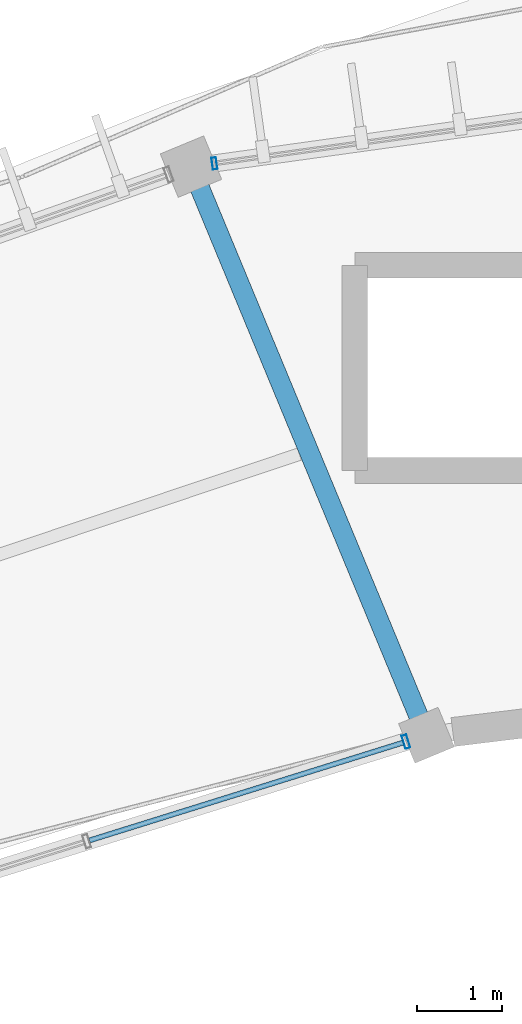
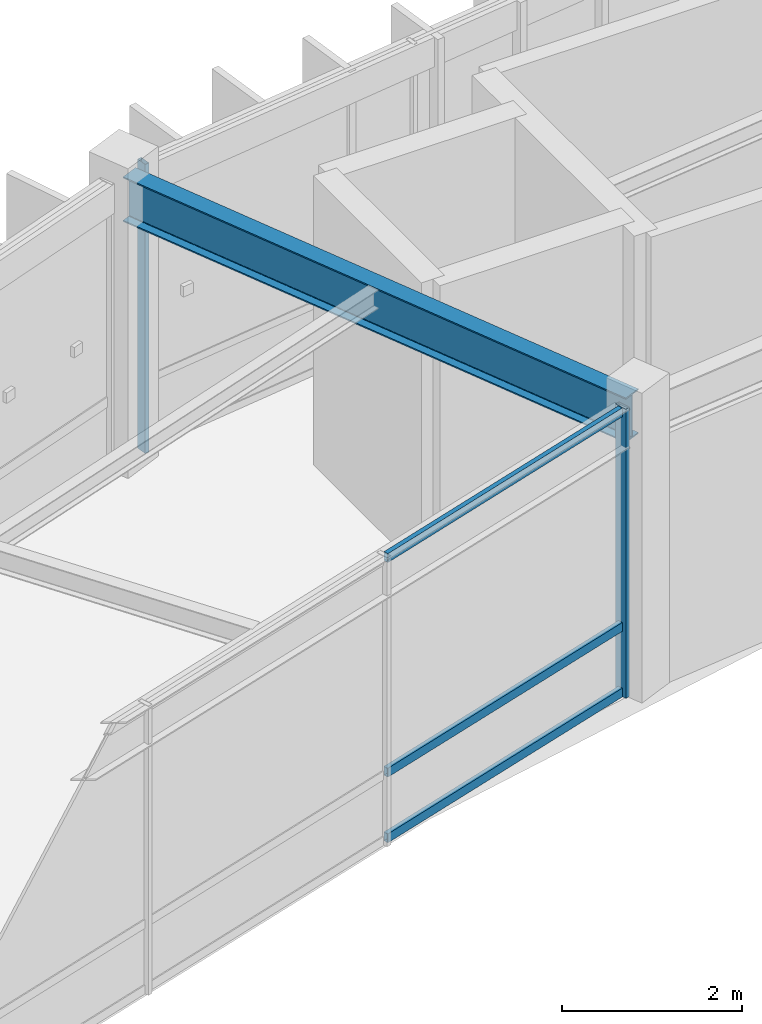
# One storey, part 33 of 79: 5 members, 1 beam, 2 elements without a shape of their own.
"""IFC4 building model written with IfcOpenShell, lengths in metres."""

from ifc_helpers import new_model, si_unit, direction, frame, origin, origin_2d, place, context, subcontext, project, spatial, hollow_rectangle, i_section, extrude, material, material_profile, profile_set, type_object, element, aggregate, save


model = new_model("IFC4")

# Units and contexts
model_context = context("Model", 3, precision=1e-05, world=origin(), true_north=direction((0.0, 1.0)))
body_context = subcontext(model_context, "Body", "Model", "MODEL_VIEW")
ifc_project = project(units=[si_unit("LENGTHUNIT", "METRE"), si_unit("AREAUNIT", "SQUARE_METRE"), si_unit("VOLUMEUNIT", "CUBIC_METRE"), si_unit("PLANEANGLEUNIT", "RADIAN"), si_unit("MASSUNIT", "GRAM", prefix="KILO"), si_unit("THERMODYNAMICTEMPERATUREUNIT", "KELVIN"), si_unit("POWERUNIT", "WATT")], contexts=[model_context])

# Site, building, storey
site_placement = place(None, origin())
site = spatial("IfcSite", under=ifc_project, at=site_placement, CompositionType="ELEMENT")
building_placement = place(site_placement, origin())
building = spatial("IfcBuilding", under=site, at=building_placement, Name="Darbajah Civic Hall", CompositionType="ELEMENT")
storey_placement = place(building_placement, frame((0.0, 0.0, 22.199951171875)))
storey = spatial("IfcBuildingStorey", under=building, at=storey_placement, Name="L05", CompositionType="ELEMENT", Elevation=22.199951171875)

# Curtain wall, member
ifc_material_1 = material(Name="Anodised Bronze Aluminium and Low-E Glazing", Category="aluminium")
curtain_wall_type_1 = type_object("IfcCurtainWallType", Name="Unitised Curtain Wall CW-66 15100x3900", PredefinedType="USERDEFINED", material=ifc_material_1)
curtain_wall_1_placement = place(storey_placement, origin())
curtain_wall_1 = element("IfcCurtainWall", 1, at=curtain_wall_1_placement, inside=storey, type_object=curtain_wall_type_1, Name="L05 unitised curtain wall CW-V1O-L05-05", ObjectType="UNITISED CURTAIN WALL", PredefinedType="USERDEFINED")
ifc_material_2 = material(Name="Anodised Bronze Aluminium", Category="aluminium")
ifc_material_profile_1 = material_profile(ifc_material_2, hollow_rectangle(XDim=0.054931640625, YDim=0.139892578125, WallThickness=0.003173828125, at=origin_2d()), Name="ALU MULLION 55x140")
ifc_profile_set_1 = profile_set([ifc_material_profile_1], Name="Anodised Bronze Aluminium")
member_type_1 = type_object("IfcMemberType", Name="ALU MULLION 55x140", PredefinedType="MULLION", material=ifc_profile_set_1)
member_1_placement = place(storey_placement, frame((69.857421875, 117.092529296875, 0.0), z_axis=(0.0, 0.0, 1.0), x_axis=(-0.990485459553, -0.137617420457, 0.0)))
member_1 = element("IfcMember", 2, at=member_1_placement, type_object=member_type_1, Name="CW-V1O-L05-05 mullion 5", PredefinedType="MULLION", context=body_context, shape_type="SweptSolid", body=[
    extrude(hollow_rectangle(XDim=0.054931640625, YDim=0.139892578125, WallThickness=0.003173828125, at=origin_2d()), origin(), (0.0, 0.0, 1.0), 3.920166015625),
])
aggregate(curtain_wall_1, [member_1])

# Curtain wall, members
curtain_wall_type_2 = type_object("IfcCurtainWallType", Name="Unitised Curtain Wall CW-67 11700x3900", PredefinedType="USERDEFINED", material=ifc_material_1)
curtain_wall_2_placement = place(storey_placement, origin())
curtain_wall_2 = element("IfcCurtainWall", 3, at=curtain_wall_2_placement, inside=storey, type_object=curtain_wall_type_2, Name="L05 unitised curtain wall CW-V1I-L05-06", ObjectType="UNITISED CURTAIN WALL", PredefinedType="USERDEFINED")
ifc_material_profile_2 = material_profile(ifc_material_2, hollow_rectangle(XDim=0.06005859375, YDim=0.159912109375, WallThickness=0.00341796875, at=origin_2d()), Name="ALU MULLION 60x160")
ifc_profile_set_2 = profile_set([ifc_material_profile_2], Name="Anodised Bronze Aluminium")
member_type_2 = type_object("IfcMemberType", Name="ALU MULLION 60x160", PredefinedType="MULLION", material=ifc_profile_set_2)
member_2_placement = place(storey_placement, frame((72.097900390625, 110.327392578125, 0.0), z_axis=(0.0, 0.0, 1.0), x_axis=(-0.954604963513, -0.297874744877, 0.0)))
member_2 = element("IfcMember", 4, at=member_2_placement, type_object=member_type_2, Name="CW-V1I-L05-06 mullion 1", PredefinedType="MULLION", context=body_context, shape_type="SweptSolid", body=[
    extrude(hollow_rectangle(XDim=0.06005859375, YDim=0.159912109375, WallThickness=0.00341796875, at=origin_2d()), origin(), (0.0, 0.0, 1.0), 3.920166015625),
])
ifc_material_profile_3 = material_profile(ifc_material_2, hollow_rectangle(XDim=0.06005859375, YDim=0.1201171875, WallThickness=0.003173828125, at=origin_2d()), Name="ALU TRANSOM 60x120")
ifc_profile_set_3 = profile_set([ifc_material_profile_3], Name="Anodised Bronze Aluminium")
member_type_3 = type_object("IfcMemberType", Name="ALU TRANSOM 60x120", PredefinedType="USERDEFINED", material=ifc_profile_set_3)
member_3_placement = place(storey_placement, frame((72.064453125, 110.31689453125, 0.06005859375), z_axis=(-0.954631377136, -0.297790083428, 0.0), x_axis=(0.297790083428, -0.954631377136, 0.0)))
member_3 = element("IfcMember", 5, at=member_3_placement, type_object=member_type_3, Name="CW-V1I-L05-06 transom 1.1", ObjectType="TRANSOM", PredefinedType="USERDEFINED", context=body_context, shape_type="SweptSolid", body=[
    extrude(hollow_rectangle(XDim=0.06005859375, YDim=0.1201171875, WallThickness=0.003173828125, at=origin_2d()), origin(), (0.0, 0.0, 1.0), 3.841796875),
])
member_4_placement = place(storey_placement, frame((72.064453125, 110.31689453125, 0.949951171875), z_axis=(-0.954631377136, -0.297790083428, 0.0), x_axis=(0.297790083428, -0.954631377136, 0.0)))
member_4 = element("IfcMember", 6, at=member_4_placement, type_object=member_type_3, Name="CW-V1I-L05-06 transom 1.2", ObjectType="TRANSOM", PredefinedType="USERDEFINED", context=body_context, shape_type="SweptSolid", body=[
    extrude(hollow_rectangle(XDim=0.06005859375, YDim=0.1201171875, WallThickness=0.003173828125, at=origin_2d()), origin(), (0.0, 0.0, 1.0), 3.841796875),
])
member_5_placement = place(storey_placement, frame((72.064453125, 110.31689453125, 3.860107421875), z_axis=(-0.954631377136, -0.297790083428, 0.0), x_axis=(0.297790083428, -0.954631377136, 0.0)))
member_5 = element("IfcMember", 7, at=member_5_placement, type_object=member_type_3, Name="CW-V1I-L05-06 transom 1.3", ObjectType="TRANSOM", PredefinedType="USERDEFINED", context=body_context, shape_type="SweptSolid", body=[
    extrude(hollow_rectangle(XDim=0.06005859375, YDim=0.1201171875, WallThickness=0.003173828125, at=origin_2d()), origin(), (0.0, 0.0, 1.0), 3.841796875),
])
aggregate(curtain_wall_2, [member_2, member_3, member_4, member_5])

# Beam
ifc_material_3 = material(Name="Steel S355JR", Category="steel")
ifc_material_profile_4 = material_profile(ifc_material_3, i_section(OverallWidth=0.228271484375, OverallDepth=0.607666015625, WebThickness=0.010986328125, FlangeThickness=0.017333984375, FilletRadius=0.0126953125, at=origin_2d()), Name="UB 610x229x113")
ifc_profile_set_4 = profile_set([ifc_material_profile_4], Name="Steel S355JR")
beam_type = type_object("IfcBeamType", Name="UB 610x229x113", PredefinedType="BEAM", material=ifc_profile_set_4)
beam_placement = place(storey_placement, frame((72.307861328125, 110.476318359375, 3.6162109375), z_axis=(-0.382681552297, 0.923880311259, 0.0), x_axis=(-0.923880311259, -0.382681552297, 0.0)))
element("IfcBeam", 8, at=beam_placement, inside=storey, type_object=beam_type, Name="L05 beam SB-610", PredefinedType="BEAM", context=body_context, shape_type="SweptSolid", body=[
    extrude(i_section(OverallWidth=0.228271484375, OverallDepth=0.607666015625, WebThickness=0.010986328125, FlangeThickness=0.017333984375, FilletRadius=0.0126953125, at=origin_2d()), origin(), (0.0, 0.0, 1.0), 7.0400390625),
])

save(model, "model.ifc")
